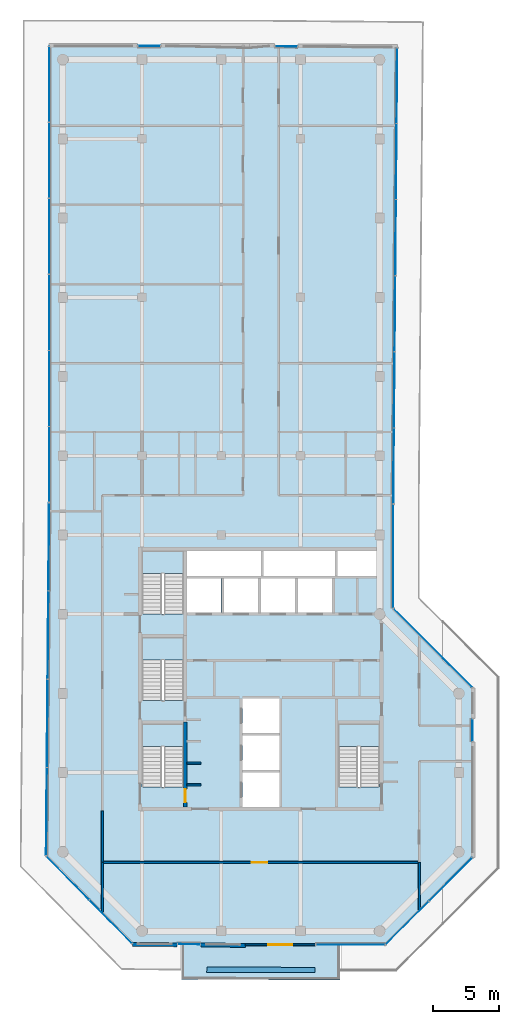
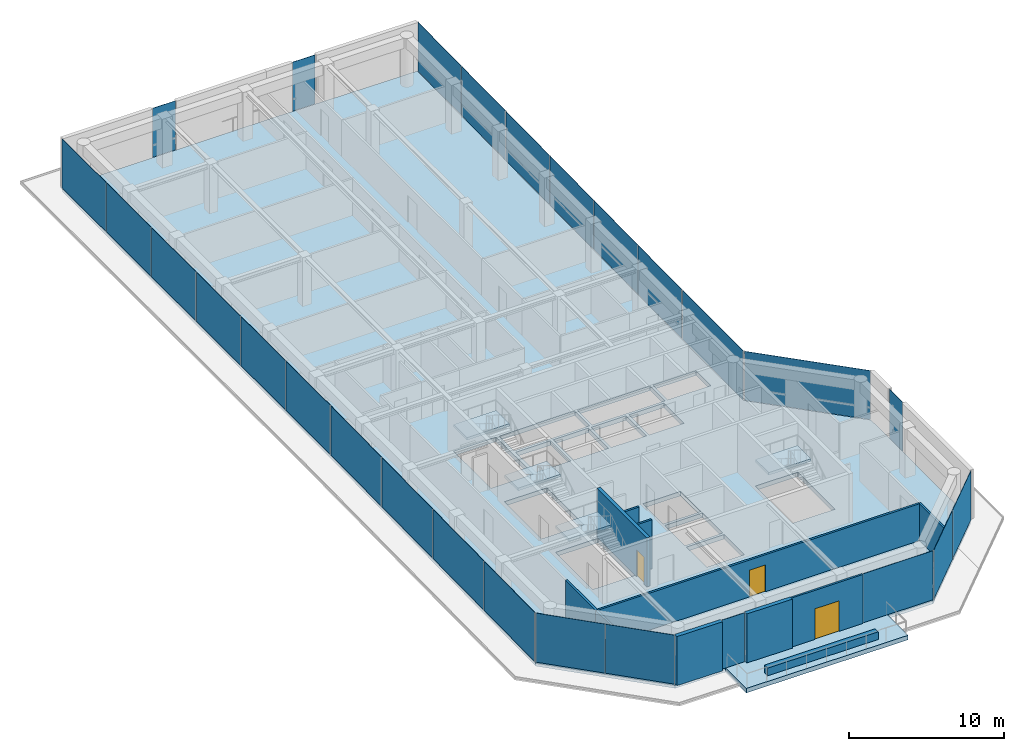
# One storey, part 13 of 18: 27 plates, 11 walls, 6 slabs, 3 doors, 3 openings, 16 elements without a shape of their own.
"""IFC4 building model written with IfcOpenShell, lengths in metres."""

from ifc_helpers import new_model, si_unit, direction, frame, frame_2d, origin, origin_2d, place, context, subcontext, project, spatial, polyline, rectangle, outline, extrude, material, layer, layer_set, type_object, element, fill, aggregate, save


model = new_model("IFC4")

# Units and contexts
model_context = context("Model", 3, precision=1e-05, world=origin(), true_north=direction((0.0, 1.0)))
body_context = subcontext(model_context, "Body", "Model", "MODEL_VIEW")
ifc_project = project(units=[si_unit("LENGTHUNIT", "METRE"), si_unit("AREAUNIT", "SQUARE_METRE"), si_unit("VOLUMEUNIT", "CUBIC_METRE"), si_unit("PLANEANGLEUNIT", "RADIAN"), si_unit("MASSUNIT", "GRAM", prefix="KILO")], contexts=[model_context])

# Site, building, storey
site_placement = place(None, origin())
site = spatial("IfcSite", under=ifc_project, at=site_placement, CompositionType="ELEMENT")
building_placement = place(site_placement, origin())
building = spatial("IfcBuilding", under=site, at=building_placement, Name="Welwitschia Terrace Campus", CompositionType="ELEMENT")
storey_placement = place(building_placement, frame((0.0, 0.0, 285.199951171875)))
storey = spatial("IfcBuildingStorey", under=building, at=storey_placement, Name="L63", CompositionType="ELEMENT", Elevation=285.199951171875)

# Curtain wall, plate
ifc_material_1 = material(Name="Bronze anodised aluminium", Category="aluminium")
ifc_layer_1 = layer(ifc_material_1, 0.1201171875)
ifc_layer_set_1 = layer_set([ifc_layer_1], Name="Bronze anodised aluminium")
curtain_wall_type = type_object("IfcCurtainWallType", Name="Curtain wall CW2 tower 6000", PredefinedType="NOTDEFINED", material=ifc_layer_set_1)
curtain_wall_1_placement = place(storey_placement, origin())
curtain_wall_1 = element("IfcCurtainWall", 1, at=curtain_wall_1_placement, inside=storey, type_object=curtain_wall_type, Name="CW L63.0.S0", PredefinedType="NOTDEFINED")
ifc_material_2 = material(Name="Tinted bronze-grey glass", Category="glass")
ifc_layer_2 = layer(ifc_material_2, 0.028076171875)
ifc_layer_set_2 = layer_set([ifc_layer_2], Name="Tinted bronze-grey glass")
plate_type = type_object("IfcPlateType", Name="Glass panel 28 tinted", PredefinedType="CURTAIN_PANEL", material=ifc_layer_set_2)
plate_1_placement = place(storey_placement, frame((6.547119140625, 63.030029296875, 0.0), z_axis=(0.0, 0.0, 1.0), x_axis=(-1.0, 0.0, 0.0)))
plate_1 = element("IfcPlate", 2, at=plate_1_placement, type_object=plate_type, Name="Panel L63.0.S0.0", PredefinedType="CURTAIN_PANEL", context=body_context, shape_type="SweptSolid", body=[
    extrude(rectangle(XDim=1.679931640625, YDim=0.028076171875, at=origin_2d()), origin(), (0.0, 0.0, 1.0), 3.85009765625),
])
aggregate(curtain_wall_1, [plate_1])

# Curtain wall, plates
curtain_wall_2_placement = place(storey_placement, origin())
curtain_wall_2 = element("IfcCurtainWall", 3, at=curtain_wall_2_placement, inside=storey, type_object=curtain_wall_type, Name="CW L63.1.0", PredefinedType="NOTDEFINED")
plate_2_placement = place(storey_placement, frame((-1.030029296875, 60.133544921875, 0.0), z_axis=(0.0, 0.0, 1.0), x_axis=(0.0, -1.0, 0.0)))
plate_2 = element("IfcPlate", 4, at=plate_2_placement, type_object=plate_type, Name="Panel L63.1.0.0", PredefinedType="CURTAIN_PANEL", context=body_context, shape_type="SweptSolid", body=[
    extrude(rectangle(XDim=5.6728515625, YDim=0.028076171875, at=origin_2d()), origin(), (0.0, 0.0, 1.0), 3.85009765625),
])
plate_3_placement = place(storey_placement, frame((-1.030029296875, 54.385986328125, 0.0), z_axis=(0.0, 0.0, 1.0), x_axis=(0.0, -1.0, 0.0)))
plate_3 = element("IfcPlate", 5, at=plate_3_placement, type_object=plate_type, Name="Panel L63.1.0.1", PredefinedType="CURTAIN_PANEL", context=body_context, shape_type="SweptSolid", body=[
    extrude(rectangle(XDim=5.70263671875, YDim=0.028076171875, at=origin_2d()), origin(), (0.0, 0.0, 1.0), 3.85009765625),
])
plate_4_placement = place(storey_placement, frame((-1.030029296875, 48.623046875, 0.0), z_axis=(0.0, 0.0, 1.0), x_axis=(0.0, -1.0, 0.0)))
plate_4 = element("IfcPlate", 6, at=plate_4_placement, type_object=plate_type, Name="Panel L63.1.0.2", PredefinedType="CURTAIN_PANEL", context=body_context, shape_type="SweptSolid", body=[
    extrude(rectangle(XDim=5.70263671875, YDim=0.028076171875, at=origin_2d()), origin(), (0.0, 0.0, 1.0), 3.85009765625),
])
plate_5_placement = place(storey_placement, frame((-1.030029296875, 42.8603515625, 0.0), z_axis=(0.0, 0.0, 1.0), x_axis=(0.0, -1.0, 0.0)))
plate_5 = element("IfcPlate", 7, at=plate_5_placement, type_object=plate_type, Name="Panel L63.1.0.3", PredefinedType="CURTAIN_PANEL", context=body_context, shape_type="SweptSolid", body=[
    extrude(rectangle(XDim=5.70263671875, YDim=0.028076171875, at=origin_2d()), origin(), (0.0, 0.0, 1.0), 3.85009765625),
])
plate_6_placement = place(storey_placement, frame((-1.030029296875, 37.09765625, 0.0), z_axis=(0.0, 0.0, 1.0), x_axis=(0.0, -1.0, 0.0)))
plate_6 = element("IfcPlate", 8, at=plate_6_placement, type_object=plate_type, Name="Panel L63.1.0.4", PredefinedType="CURTAIN_PANEL", context=body_context, shape_type="SweptSolid", body=[
    extrude(rectangle(XDim=5.70263671875, YDim=0.028076171875, at=origin_2d()), origin(), (0.0, 0.0, 1.0), 3.85009765625),
])
plate_7_placement = place(storey_placement, frame((-1.030029296875, 31.349853515625, 0.0), z_axis=(0.0, 0.0, 1.0), x_axis=(0.0, -1.0, 0.0)))
plate_7 = element("IfcPlate", 9, at=plate_7_placement, type_object=plate_type, Name="Panel L63.1.0.5", PredefinedType="CURTAIN_PANEL", context=body_context, shape_type="SweptSolid", body=[
    extrude(rectangle(XDim=5.6728515625, YDim=0.028076171875, at=origin_2d()), origin(), (0.0, 0.0, 1.0), 3.85009765625),
])
aggregate(curtain_wall_2, [plate_2, plate_3, plate_4, plate_5, plate_6, plate_7])

curtain_wall_3_placement = place(storey_placement, origin())
curtain_wall_3 = element("IfcCurtainWall", 10, at=curtain_wall_3_placement, inside=storey, type_object=curtain_wall_type, Name="CW L63.2.0", PredefinedType="NOTDEFINED")
plate_8_placement = place(storey_placement, frame((-1.059326171875, 25.094970703125, 0.0), z_axis=(0.0, 0.0, 1.0), x_axis=(-0.008726535498, -0.999961923064, 0.0)))
plate_8 = element("IfcPlate", 11, at=plate_8_placement, type_object=plate_type, Name="Panel L63.2.0.0", PredefinedType="CURTAIN_PANEL", context=body_context, shape_type="SweptSolid", body=[
    extrude(rectangle(XDim=6.597412109375, YDim=0.028076171875, at=origin_2d()), origin(), (0.0, 0.0, 1.0), 3.85009765625),
])
plate_9_placement = place(storey_placement, frame((-1.117431640625, 18.4228515625, 0.0), z_axis=(0.0, 0.0, 1.0), x_axis=(-0.008726535498, -0.999961923064, 0.0)))
plate_9 = element("IfcPlate", 12, at=plate_9_placement, type_object=plate_type, Name="Panel L63.2.0.1", PredefinedType="CURTAIN_PANEL", context=body_context, shape_type="SweptSolid", body=[
    extrude(rectangle(XDim=6.627197265625, YDim=0.028076171875, at=origin_2d()), origin(), (0.0, 0.0, 1.0), 3.85009765625),
])
plate_10_placement = place(storey_placement, frame((-1.17578125, 11.73583984375, 0.0), z_axis=(0.0, 0.0, 1.0), x_axis=(-0.008726535498, -0.999961923064, 0.0)))
plate_10 = element("IfcPlate", 13, at=plate_10_placement, type_object=plate_type, Name="Panel L63.2.0.2", PredefinedType="CURTAIN_PANEL", context=body_context, shape_type="SweptSolid", body=[
    extrude(rectangle(XDim=6.627197265625, YDim=0.028076171875, at=origin_2d()), origin(), (0.0, 0.0, 1.0), 3.85009765625),
])
plate_11_placement = place(storey_placement, frame((-1.234130859375, 5.063720703125, 0.0), z_axis=(0.0, 0.0, 1.0), x_axis=(-0.008726535498, -0.999961923064, 0.0)))
plate_11 = element("IfcPlate", 14, at=plate_11_placement, type_object=plate_type, Name="Panel L63.2.0.3", PredefinedType="CURTAIN_PANEL", context=body_context, shape_type="SweptSolid", body=[
    extrude(rectangle(XDim=6.597412109375, YDim=0.028076171875, at=origin_2d()), origin(), (0.0, 0.0, 1.0), 3.85009765625),
])
aggregate(curtain_wall_3, [plate_8, plate_9, plate_10, plate_11])

curtain_wall_4_placement = place(storey_placement, origin())
curtain_wall_4 = element("IfcCurtainWall", 15, at=curtain_wall_4_placement, inside=storey, type_object=curtain_wall_type, Name="CW L63.3.0", PredefinedType="NOTDEFINED")
plate_12_placement = place(storey_placement, frame((0.383544921875, 0.029541015625, 0.0), z_axis=(0.0, 0.0, 1.0), x_axis=(0.7009092643, -0.713250449154, 0.0)))
plate_12 = element("IfcPlate", 16, at=plate_12_placement, type_object=plate_type, Name="Panel L63.3.0.0", PredefinedType="CURTAIN_PANEL", context=body_context, shape_type="SweptSolid", body=[
    extrude(rectangle(XDim=4.579345703125, YDim=0.028076171875, at=origin_2d()), origin(), (0.0, 0.0, 1.0), 3.85009765625),
])
plate_13_placement = place(storey_placement, frame((3.63525390625, -3.279541015625, 0.0), z_axis=(0.0, 0.0, 1.0), x_axis=(0.7009092643, -0.713250449154, 0.0)))
plate_13 = element("IfcPlate", 17, at=plate_13_placement, type_object=plate_type, Name="Panel L63.3.0.1", PredefinedType="CURTAIN_PANEL", context=body_context, shape_type="SweptSolid", body=[
    extrude(rectangle(XDim=4.579345703125, YDim=0.028076171875, at=origin_2d()), origin(), (0.0, 0.0, 1.0), 3.85009765625),
])
aggregate(curtain_wall_4, [plate_12, plate_13])

# Curtain wall, plate
curtain_wall_5_placement = place(storey_placement, origin())
curtain_wall_5 = element("IfcCurtainWall", 18, at=curtain_wall_5_placement, inside=storey, type_object=curtain_wall_type, Name="CW L63.4.S0", PredefinedType="NOTDEFINED")
plate_14_placement = place(storey_placement, frame((9.5546875, -4.99267578125, 0.0), z_axis=(0.0, 0.0, 1.0), x_axis=(0.999961923064, -0.008726535498, 0.0)))
plate_14 = element("IfcPlate", 19, at=plate_14_placement, type_object=plate_type, Name="Panel L63.4.S0.0", PredefinedType="CURTAIN_PANEL", context=body_context, shape_type="SweptSolid", body=[
    extrude(rectangle(XDim=1.679931640625, YDim=0.028076171875, at=origin_2d()), origin(), (0.0, 0.0, 1.0), 3.85009765625),
])
aggregate(curtain_wall_5, [plate_14])

curtain_wall_6_placement = place(storey_placement, origin())
curtain_wall_6 = element("IfcCurtainWall", 20, at=curtain_wall_6_placement, inside=storey, type_object=curtain_wall_type, Name="CW L63.5.1", PredefinedType="NOTDEFINED")
plate_15_placement = place(storey_placement, frame((21.77685546875, -5.030029296875, 0.0), z_axis=(0.0, 0.0, 1.0), x_axis=(1.0, 0.0, 0.0)))
plate_15 = element("IfcPlate", 21, at=plate_15_placement, type_object=plate_type, Name="Panel L63.5.1.0", PredefinedType="CURTAIN_PANEL", context=body_context, shape_type="SweptSolid", body=[
    extrude(rectangle(XDim=5.1796875, YDim=0.028076171875, at=origin_2d()), origin(), (0.0, 0.0, 1.0), 3.85009765625),
])
aggregate(curtain_wall_6, [plate_15])

# Curtain wall, plates
curtain_wall_7_placement = place(storey_placement, origin())
curtain_wall_7 = element("IfcCurtainWall", 22, at=curtain_wall_7_placement, inside=storey, type_object=curtain_wall_type, Name="CW L63.6.0", PredefinedType="NOTDEFINED")
plate_16_placement = place(storey_placement, frame((26.088134765625, -3.36865234375, 0.0), z_axis=(0.0, 0.0, 1.0), x_axis=(0.707106781187, 0.707106781187, 0.0)))
plate_16 = element("IfcPlate", 23, at=plate_16_placement, type_object=plate_type, Name="Panel L63.6.0.0", PredefinedType="CURTAIN_PANEL", context=body_context, shape_type="SweptSolid", body=[
    extrude(rectangle(XDim=4.579345703125, YDim=0.028076171875, at=origin_2d()), origin(), (0.0, 0.0, 1.0), 3.85009765625),
])
plate_17_placement = place(storey_placement, frame((29.36865234375, -0.088134765625, 0.0), z_axis=(0.0, 0.0, 1.0), x_axis=(0.707106781187, 0.707106781187, 0.0)))
plate_17 = element("IfcPlate", 24, at=plate_17_placement, type_object=plate_type, Name="Panel L63.6.0.1", PredefinedType="CURTAIN_PANEL", context=body_context, shape_type="SweptSolid", body=[
    extrude(rectangle(XDim=4.579345703125, YDim=0.028076171875, at=origin_2d()), origin(), (0.0, 0.0, 1.0), 3.85009765625),
])
aggregate(curtain_wall_7, [plate_16, plate_17])

# Curtain wall, plate
curtain_wall_8_placement = place(storey_placement, origin())
curtain_wall_8 = element("IfcCurtainWall", 25, at=curtain_wall_8_placement, inside=storey, type_object=curtain_wall_type, Name="CW L63.7.S0", PredefinedType="NOTDEFINED")
plate_18_placement = place(storey_placement, frame((31.030029296875, 11.21337890625, 0.0), z_axis=(0.0, 0.0, 1.0), x_axis=(0.0, 1.0, 0.0)))
plate_18 = element("IfcPlate", 26, at=plate_18_placement, type_object=plate_type, Name="Panel L63.7.S0.0", PredefinedType="CURTAIN_PANEL", context=body_context, shape_type="SweptSolid", body=[
    extrude(rectangle(XDim=1.679931640625, YDim=0.028076171875, at=origin_2d()), origin(), (0.0, 0.0, 1.0), 3.85009765625),
])
aggregate(curtain_wall_8, [plate_18])

curtain_wall_9_placement = place(storey_placement, origin())
curtain_wall_9 = element("IfcCurtainWall", 27, at=curtain_wall_9_placement, inside=storey, type_object=curtain_wall_type, Name="CW L63.8.0", PredefinedType="NOTDEFINED")
plate_19_placement = place(storey_placement, frame((28.030029296875, 17.4267578125, 0.0), z_axis=(0.0, 0.0, 1.0), x_axis=(-0.707106781187, 0.707106781187, 0.0)))
plate_19 = element("IfcPlate", 28, at=plate_19_placement, type_object=plate_type, Name="Panel L63.8.0.0", PredefinedType="CURTAIN_PANEL", context=body_context, shape_type="SweptSolid", body=[
    extrude(rectangle(XDim=8.365234375, YDim=0.028076171875, at=origin_2d()), origin(), (0.0, 0.0, 1.0), 3.85009765625),
])
aggregate(curtain_wall_9, [plate_19])

curtain_wall_10_placement = place(storey_placement, origin())
curtain_wall_10 = element("IfcCurtainWall", 29, at=curtain_wall_10_placement, inside=storey, type_object=curtain_wall_type, Name="CW L63.9.0", PredefinedType="NOTDEFINED")
plate_20_placement = place(storey_placement, frame((25.030029296875, 24.38330078125, 0.0), z_axis=(0.0, 0.0, 1.0), x_axis=(0.0, 1.0, 0.0)))
plate_20 = element("IfcPlate", 30, at=plate_20_placement, type_object=plate_type, Name="Panel L63.9.0.0", PredefinedType="CURTAIN_PANEL", context=body_context, shape_type="SweptSolid", body=[
    extrude(rectangle(XDim=7.793212890625, YDim=0.028076171875, at=origin_2d()), origin(), (0.0, 0.0, 1.0), 3.85009765625),
])
aggregate(curtain_wall_10, [plate_20])

# Curtain wall, plates
curtain_wall_11_placement = place(storey_placement, origin())
curtain_wall_11 = element("IfcCurtainWall", 31, at=curtain_wall_11_placement, inside=storey, type_object=curtain_wall_type, Name="CW L63.10.0", PredefinedType="NOTDEFINED")
plate_21_placement = place(storey_placement, frame((25.05517578125, 31.237548828125, 0.0), z_axis=(0.0, 0.0, 1.0), x_axis=(0.008726535498, 0.999961923064, 0.0)))
plate_21 = element("IfcPlate", 32, at=plate_21_placement, type_object=plate_type, Name="Panel L63.10.0.0", PredefinedType="CURTAIN_PANEL", context=body_context, shape_type="SweptSolid", body=[
    extrude(rectangle(XDim=5.675537109375, YDim=0.028076171875, at=origin_2d()), origin(), (0.0, 0.0, 1.0), 3.85009765625),
])
plate_22_placement = place(storey_placement, frame((25.10546875, 36.988037109375, 0.0), z_axis=(0.0, 0.0, 1.0), x_axis=(0.008726535498, 0.999961923064, 0.0)))
plate_22 = element("IfcPlate", 33, at=plate_22_placement, type_object=plate_type, Name="Panel L63.10.0.1", PredefinedType="CURTAIN_PANEL", context=body_context, shape_type="SweptSolid", body=[
    extrude(rectangle(XDim=5.70556640625, YDim=0.028076171875, at=origin_2d()), origin(), (0.0, 0.0, 1.0), 3.85009765625),
])
plate_23_placement = place(storey_placement, frame((25.15576171875, 42.75341796875, 0.0), z_axis=(0.0, 0.0, 1.0), x_axis=(0.008726535498, 0.999961923064, 0.0)))
plate_23 = element("IfcPlate", 34, at=plate_23_placement, type_object=plate_type, Name="Panel L63.10.0.2", PredefinedType="CURTAIN_PANEL", context=body_context, shape_type="SweptSolid", body=[
    extrude(rectangle(XDim=5.70556640625, YDim=0.028076171875, at=origin_2d()), origin(), (0.0, 0.0, 1.0), 3.85009765625),
])
plate_24_placement = place(storey_placement, frame((25.2060546875, 48.518798828125, 0.0), z_axis=(0.0, 0.0, 1.0), x_axis=(0.008726535498, 0.999961923064, 0.0)))
plate_24 = element("IfcPlate", 35, at=plate_24_placement, type_object=plate_type, Name="Panel L63.10.0.3", PredefinedType="CURTAIN_PANEL", context=body_context, shape_type="SweptSolid", body=[
    extrude(rectangle(XDim=5.70556640625, YDim=0.028076171875, at=origin_2d()), origin(), (0.0, 0.0, 1.0), 3.85009765625),
])
plate_25_placement = place(storey_placement, frame((25.25634765625, 54.2841796875, 0.0), z_axis=(0.0, 0.0, 1.0), x_axis=(0.008726535498, 0.999961923064, 0.0)))
plate_25 = element("IfcPlate", 36, at=plate_25_placement, type_object=plate_type, Name="Panel L63.10.0.4", PredefinedType="CURTAIN_PANEL", context=body_context, shape_type="SweptSolid", body=[
    extrude(rectangle(XDim=5.70556640625, YDim=0.028076171875, at=origin_2d()), origin(), (0.0, 0.0, 1.0), 3.85009765625),
])
plate_26_placement = place(storey_placement, frame((25.306640625, 60.034423828125, 0.0), z_axis=(0.0, 0.0, 1.0), x_axis=(0.008726535498, 0.999961923064, 0.0)))
plate_26 = element("IfcPlate", 37, at=plate_26_placement, type_object=plate_type, Name="Panel L63.10.0.5", PredefinedType="CURTAIN_PANEL", context=body_context, shape_type="SweptSolid", body=[
    extrude(rectangle(XDim=5.675537109375, YDim=0.028076171875, at=origin_2d()), origin(), (0.0, 0.0, 1.0), 3.85009765625),
])
aggregate(curtain_wall_11, [plate_21, plate_22, plate_23, plate_24, plate_25, plate_26])

# Curtain wall, plate
curtain_wall_12_placement = place(storey_placement, origin())
curtain_wall_12 = element("IfcCurtainWall", 38, at=curtain_wall_12_placement, inside=storey, type_object=curtain_wall_type, Name="CW L63.11.S0", PredefinedType="NOTDEFINED")
plate_27_placement = place(storey_placement, frame((16.926025390625, 63.005615234375, 0.0), z_axis=(0.0, 0.0, 1.0), x_axis=(-0.999961923064, 0.008726535498, 0.0)))
plate_27 = element("IfcPlate", 39, at=plate_27_placement, type_object=plate_type, Name="Panel L63.11.S0.0", PredefinedType="CURTAIN_PANEL", context=body_context, shape_type="SweptSolid", body=[
    extrude(rectangle(XDim=1.679931640625, YDim=0.028076171875, at=origin_2d()), origin(), (0.0, 0.0, 1.0), 3.85009765625),
])
aggregate(curtain_wall_12, [plate_27])

# Stair, slab
ifc_material_3 = material(Name="Concrete C40/50", Category="concrete")
stair_type = type_object("IfcStairType", Name="Stair 24R 175 W1500", PredefinedType="HALF_TURN_STAIR", material=ifc_material_3)
stair_1_placement = place(storey_placement, origin())
stair_1 = element("IfcStair", 40, at=stair_1_placement, inside=storey, type_object=stair_type, Name="L63 Exit stair S1", PredefinedType="HALF_TURN_STAIR")
ifc_material_4 = material(Name="Concrete C40/50", Category="concrete")
ifc_layer_3 = layer(ifc_material_4, 0.199951171875)
ifc_layer_set_3 = layer_set([ifc_layer_3], Name="Concrete C40/50")
slab_type_1 = type_object("IfcSlabType", Name="Stair landing RC", PredefinedType="LANDING", material=ifc_layer_set_3)
slab_1_placement = place(storey_placement, frame((0.0, 0.0, 1.900146484375)))
slab_1 = element("IfcSlab", 41, at=slab_1_placement, type_object=slab_type_1, Name="S1 landing 1", PredefinedType="LANDING", context=body_context, shape_type="SweptSolid", body=[
    extrude(outline(polyline([(9.14990234375, 9.97998046875), (9.14990234375, 11.699951171875), (6.0, 11.699951171875), (6.0, 9.97998046875), (9.14990234375, 9.97998046875)])), origin(), (0.0, 0.0, 1.0), 0.199951171875),
])
aggregate(stair_1, [slab_1])

stair_2_placement = place(storey_placement, origin())
stair_2 = element("IfcStair", 42, at=stair_2_placement, inside=storey, type_object=stair_type, Name="L63 Exit stair S3", PredefinedType="HALF_TURN_STAIR")
slab_2_placement = place(storey_placement, frame((0.0, 0.0, 1.900146484375)))
slab_2 = element("IfcSlab", 43, at=slab_2_placement, type_object=slab_type_1, Name="S3 landing 1", PredefinedType="LANDING", context=body_context, shape_type="SweptSolid", body=[
    extrude(outline(polyline([(9.14990234375, 16.530029296875), (9.14990234375, 18.25), (6.0, 18.25), (6.0, 16.530029296875), (9.14990234375, 16.530029296875)])), origin(), (0.0, 0.0, 1.0), 0.199951171875),
])
aggregate(stair_2, [slab_2])

stair_3_placement = place(storey_placement, origin())
stair_3 = element("IfcStair", 44, at=stair_3_placement, inside=storey, type_object=stair_type, Name="L63 Exit stair S4", PredefinedType="HALF_TURN_STAIR")
slab_3_placement = place(storey_placement, frame((0.0, 0.0, 1.900146484375)))
slab_3 = element("IfcSlab", 45, at=slab_3_placement, type_object=slab_type_1, Name="S4 landing 1", PredefinedType="LANDING", context=body_context, shape_type="SweptSolid", body=[
    extrude(outline(polyline([(9.14990234375, 23.080078125), (9.14990234375, 24.800048828125), (6.0, 24.800048828125), (6.0, 23.080078125), (9.14990234375, 23.080078125)])), origin(), (0.0, 0.0, 1.0), 0.199951171875),
])
aggregate(stair_3, [slab_3])

stair_4_placement = place(storey_placement, origin())
stair_4 = element("IfcStair", 46, at=stair_4_placement, inside=storey, type_object=stair_type, Name="L63 Exit stair S2", PredefinedType="HALF_TURN_STAIR")
slab_4_placement = place(storey_placement, frame((0.0, 0.0, 1.900146484375)))
slab_4 = element("IfcSlab", 47, at=slab_4_placement, type_object=slab_type_1, Name="S2 landing 1", PredefinedType="LANDING", context=body_context, shape_type="SweptSolid", body=[
    extrude(outline(polyline([(24.0, 9.97998046875), (24.0, 11.699951171875), (20.85009765625, 11.699951171875), (20.85009765625, 9.97998046875), (24.0, 9.97998046875)])), origin(), (0.0, 0.0, 1.0), 0.199951171875),
])
aggregate(stair_4, [slab_4])

# Slabs
ifc_material_5 = material(Name="Concrete C40/50", Category="concrete")
ifc_layer_4 = layer(ifc_material_5, 0.35009765625)
ifc_layer_set_4 = layer_set([ifc_layer_4], Name="Concrete C40/50")
slab_type_2 = type_object("IfcSlabType", Name="Suspended floor slab 350", PredefinedType="FLOOR", material=ifc_layer_set_4)
slab_5_placement = place(storey_placement, frame((0.0, 0.0, -0.349853515625)))
element("IfcSlab", 48, at=slab_5_placement, inside=storey, type_object=slab_type_2, Name="Floor slab L63", PredefinedType="FLOOR", context=body_context, shape_type="SweptSolid", body=[
    extrude(outline(polyline([(25.0, 28.340087890625), (25.0, 20.414306640625), (31.0, 14.414306640625), (31.0, 1.585693359375), (24.414306640625, -5.0), (21.001953125, -5.0), (21.001953125, -4.985107421875), (20.43017578125, -4.985107421875), (20.43017578125, -5.0), (13.827392578125, -5.0), (9.38330078125, -4.961181640625), (9.383544921875, -4.9462890625), (8.998046875, -4.94287109375), (8.998046875, -4.957763671875), (5.294677734375, -4.925537109375), (-1.2333984375, 1.717529296875), (-1.0, 28.453369140625), (-1.0, 63.0), (14.1240234375, 63.0), (25.301513671875, 62.90234375), (25.0, 28.340087890625)]), holes=[polyline([(13.60009765625, 5.39990234375), (16.39990234375, 5.39990234375), (16.39990234375, 8.0), (13.60009765625, 8.0), (13.60009765625, 5.39990234375)]), polyline([(6.0, 11.699951171875), (6.0, 6.902099609375), (9.14990234375, 6.902099609375), (9.14990234375, 11.699951171875), (6.0, 11.699951171875)]), polyline([(6.0, 18.25), (6.0, 13.451904296875), (9.14990234375, 13.451904296875), (9.14990234375, 18.25), (6.0, 18.25)]), polyline([(9.39990234375, 22.699951171875), (9.39990234375, 20.10009765625), (12.0, 20.10009765625), (12.0, 22.699951171875), (9.39990234375, 22.699951171875)]), polyline([(12.199951171875, 22.699951171875), (12.199951171875, 20.10009765625), (14.800048828125, 20.10009765625), (14.800048828125, 22.699951171875), (12.199951171875, 22.699951171875)]), polyline([(6.0, 24.800048828125), (6.0, 20.001953125), (9.14990234375, 20.001953125), (9.14990234375, 24.800048828125), (6.0, 24.800048828125)]), polyline([(9.39990234375, 24.800048828125), (9.39990234375, 22.89990234375), (15.0, 22.89990234375), (15.0, 24.800048828125), (9.39990234375, 24.800048828125)]), polyline([(20.85009765625, 6.902099609375), (24.0, 6.902099609375), (24.0, 11.699951171875), (20.85009765625, 11.699951171875), (20.85009765625, 6.902099609375)]), polyline([(13.60009765625, 10.800048828125), (13.60009765625, 8.199951171875), (16.39990234375, 8.199951171875), (16.39990234375, 10.800048828125), (13.60009765625, 10.800048828125)]), polyline([(13.60009765625, 13.60009765625), (13.60009765625, 11.0), (16.39990234375, 11.0), (16.39990234375, 13.60009765625), (13.60009765625, 13.60009765625)]), polyline([(15.0, 22.699951171875), (15.0, 20.10009765625), (17.60009765625, 20.10009765625), (17.60009765625, 22.699951171875), (15.0, 22.699951171875)]), polyline([(17.800048828125, 22.699951171875), (17.800048828125, 20.10009765625), (20.39990234375, 20.10009765625), (20.39990234375, 22.699951171875), (17.800048828125, 22.699951171875)]), polyline([(15.199951171875, 24.800048828125), (15.199951171875, 22.89990234375), (20.60009765625, 22.89990234375), (20.60009765625, 24.800048828125), (15.199951171875, 24.800048828125)]), polyline([(20.800048828125, 24.800048828125), (20.800048828125, 22.89990234375), (24.0, 22.89990234375), (24.0, 24.800048828125), (20.800048828125, 24.800048828125)])]), origin(), (0.0, 0.0, 1.0), 0.349853515625),
])
ifc_material_6 = material(Name="Concrete C40/50", Category="concrete")
ifc_layer_5 = layer(ifc_material_6, 0.35009765625)
ifc_layer_set_5 = layer_set([ifc_layer_5], Name="Concrete C40/50")
slab_type_3 = type_object("IfcSlabType", Name="Terrace slab 350", PredefinedType="FLOOR", material=ifc_layer_set_5)
slab_6_placement = place(storey_placement, frame((0.0, 0.0, -0.349853515625)))
element("IfcSlab", 49, at=slab_6_placement, inside=storey, type_object=slab_type_3, Name="Terrace slab", PredefinedType="FLOOR", context=body_context, shape_type="SweptSolid", body=[
    extrude(outline(polyline([(9.0, -7.657958984375), (9.0, -4.972900390625), (9.38330078125, -4.976318359375), (9.38330078125, -4.961181640625), (13.827392578125, -5.0), (20.43017578125, -5.0), (20.43017578125, -5.014892578125), (21.0, -5.014892578125), (21.0, -7.699951171875), (9.0, -7.657958984375)])), origin(), (0.0, 0.0, 1.0), 0.349853515625),
])

# Wall, opening, door
ifc_material_7 = material(Name="Concrete C40/50", Category="concrete")
ifc_layer_6 = layer(ifc_material_7, 0.139892578125)
ifc_layer_set_6 = layer_set([ifc_layer_6], Name="Concrete C40/50")
wall_type_1 = type_object("IfcWallType", Name="Clad wall 140", PredefinedType="SOLIDWALL", material=ifc_layer_set_6)
wall_1_placement = place(storey_placement, frame((13.8271484375, -5.030029296875, 0.0), z_axis=(0.0, 0.0, 1.0), x_axis=(1.0, 0.0, 0.0)))
wall_1 = element("IfcWall", 50, at=wall_1_placement, inside=storey, type_object=wall_type_1, Name="Clad wall L63.terrace door 0", PredefinedType="SOLIDWALL", context=body_context, shape_type="SweptSolid", body=[
    extrude(rectangle(XDim=5.2998046875, YDim=0.139892578125, at=frame_2d((2.64990234375, 0.0))), origin(), (0.0, 0.0, 1.0), 3.85009765625),
])
opening_1_placement = place(wall_1_placement, frame((1.75, 0.0, 0.0)))
opening_1 = element("IfcOpeningElement", 51, at=opening_1_placement, cuts=wall_1, Name="Opening DE3", PredefinedType="OPENING", context=body_context, shape_type="SweptSolid", body=[
    extrude(rectangle(XDim=1.800048828125, YDim=2.39990234375, at=frame_2d((0.89990234375, 1.199951171875))), frame((0.0, 0.079833984375, 0.0), z_axis=(0.0, -1.0, 0.0), x_axis=(1.0, 0.0, 0.0)), (0.0, 0.0, 1.0), 0.159912109375),
])
ifc_material_8 = material(Name="Bronze anodised aluminium and glass", Category="aluminium")
door_type_1 = type_object("IfcDoorType", Name="Terrace door 1800x2400", OperationType="DOUBLE_DOOR_DOUBLE_SWING", PredefinedType="DOOR", material=ifc_material_8)
door_1_placement = place(opening_1_placement, origin())
door_1 = element("IfcDoor", 52, at=door_1_placement, inside=storey, type_object=door_type_1, Name="Door L63:T0", OperationType="DOUBLE_DOOR_DOUBLE_SWING", OverallHeight=2.39990234375, OverallWidth=1.800048828125, PredefinedType="DOOR", context=body_context, shape_type="SweptSolid", body=[
    extrude(rectangle(XDim=1.800048828125, YDim=2.39990234375, at=frame_2d((0.89990234375, 1.199951171875))), frame((0.0, 0.02490234375, 0.0), z_axis=(0.0, -1.0, 0.0), x_axis=(1.0, 0.0, 0.0)), (0.0, 0.0, 1.0), 0.050048828125),
])
fill(opening_1, door_1)

# Walls
ifc_material_9 = material(Name="Concrete C50/60", Category="concrete")
ifc_layer_7 = layer(ifc_material_9, 0.14990234375)
ifc_layer_set_7 = layer_set([ifc_layer_7], Name="Concrete C50/60")
wall_type_2 = type_object("IfcWallType", Name="Core wall 150 Concrete C50/60", PredefinedType="SHEAR", material=ifc_layer_set_7)
for number, where, z_axis, x_axis, name in (
    (53, (9.39990234375, 7.074951171875, 0.0), (0.0, 0.0, 1.0), (1.0, 0.0, 0.0), "Core wall"),
    (54, (9.39990234375, 8.72509765625, 0.0), (0.0, 0.0, 1.0), (1.0, 0.0, 0.0), "Core wall"),
):
    element("IfcWall", number, at=place(storey_placement, frame(where, z_axis=z_axis, x_axis=x_axis)), inside=storey, type_object=wall_type_2, Name=name, PredefinedType="SHEAR", context=body_context, shape_type="SweptSolid", body=[
        extrude(rectangle(XDim=1.050048828125, YDim=0.14990234375, at=frame_2d((0.52490234375, 0.0))), origin(), (0.0, 0.0, 1.0), 3.85009765625),
    ])

# Wall, opening, door
ifc_material_10 = material(Name="Concrete C50/60", Category="concrete")
ifc_layer_8 = layer(ifc_material_10, 0.25)
ifc_layer_set_8 = layer_set([ifc_layer_8], Name="Concrete C50/60")
wall_type_3 = type_object("IfcWallType", Name="Core wall 250 Concrete C50/60", PredefinedType="SHEAR", material=ifc_layer_set_8)
wall_2_placement = place(storey_placement, frame((9.27490234375, 11.824951171875, 0.0), z_axis=(0.0, 0.0, 1.0), x_axis=(0.0, -1.0, 0.0)))
wall_2 = element("IfcWall", 55, at=wall_2_placement, inside=storey, type_object=wall_type_3, Name="Core wall", PredefinedType="SHEAR", context=body_context, shape_type="SweptSolid", body=[
    extrude(rectangle(XDim=6.425048828125, YDim=0.25, at=frame_2d((3.21240234375, 0.0))), origin(), (0.0, 0.0, 1.0), 3.85009765625),
])
opening_2_placement = place(wall_2_placement, frame((5.074951171875, 0.0, 0.0)))
opening_2 = element("IfcOpeningElement", 56, at=opening_2_placement, cuts=wall_2, Name="Opening DS10", PredefinedType="OPENING", context=body_context, shape_type="SweptSolid", body=[
    extrude(rectangle(XDim=1.0, YDim=2.10009765625, at=frame_2d((0.5, 1.050048828125))), frame((0.0, 0.135009765625, 0.0), z_axis=(0.0, -1.0, 0.0), x_axis=(1.0, 0.0, 0.0)), (0.0, 0.0, 1.0), 0.27001953125),
])
ifc_material_11 = material(Name="Steel S275", Category="steel")
door_type_2 = type_object("IfcDoorType", Name="Core door DS10", OperationType="SINGLE_SWING_LEFT", PredefinedType="DOOR", material=ifc_material_11)
door_2_placement = place(opening_2_placement, origin())
door_2 = element("IfcDoor", 57, at=door_2_placement, inside=storey, type_object=door_type_2, Name="Door S1-FL", OperationType="SINGLE_SWING_RIGHT", OverallHeight=2.10009765625, OverallWidth=1.0, PredefinedType="DOOR", context=body_context, shape_type="SweptSolid", body=[
    extrude(rectangle(XDim=1.0, YDim=2.10009765625, at=frame_2d((0.5, 1.050048828125))), frame((0.0, 0.02490234375, 0.0), z_axis=(0.0, -1.0, 0.0), x_axis=(1.0, 0.0, 0.0)), (0.0, 0.0, 1.0), 0.050048828125),
])
fill(opening_2, door_2)

# Walls
ifc_material_12 = material(Name="Gypsum board on steel studs", Category="steel")
ifc_layer_9 = layer(ifc_material_12, 0.14990234375)
ifc_layer_set_9 = layer_set([ifc_layer_9], Name="Gypsum board on steel studs")
wall_type_4 = type_object("IfcWallType", Name="Corridor partition 150 EI 30", PredefinedType="PARTITIONING", material=ifc_layer_set_9)
wall_3_placement = place(storey_placement, frame((3.0, -2.56005859375, 0.0), z_axis=(0.0, 0.0, 1.0), x_axis=(0.0, 1.0, 0.0)))
element("IfcWall", 58, at=wall_3_placement, inside=storey, type_object=wall_type_4, Name="Partition", PredefinedType="PARTITIONING", context=body_context, shape_type="SweptSolid", body=[
    extrude(rectangle(XDim=3.760009765625, YDim=0.14990234375, at=frame_2d((1.8798828125, 0.0))), origin(), (0.0, 0.0, 1.0), 2.900146484375),
])
wall_4_placement = place(storey_placement, frame((3.0, 1.199951171875, 0.0), z_axis=(0.0, 0.0, 1.0), x_axis=(0.0, 1.0, 0.0)))
element("IfcWall", 59, at=wall_4_placement, inside=storey, type_object=wall_type_4, Name="Partition", PredefinedType="PARTITIONING", context=body_context, shape_type="SweptSolid", body=[
    extrude(rectangle(XDim=3.900146484375, YDim=0.14990234375, at=frame_2d((1.9501953125, 0.0))), origin(), (0.0, 0.0, 1.0), 2.900146484375),
])
wall_5_placement = place(storey_placement, frame((27.0, -2.389892578125, 0.0), z_axis=(0.0, 0.0, 1.0), x_axis=(0.0, 1.0, 0.0)))
element("IfcWall", 60, at=wall_5_placement, inside=storey, type_object=wall_type_4, Name="Partition", PredefinedType="PARTITIONING", context=body_context, shape_type="SweptSolid", body=[
    extrude(rectangle(XDim=3.58984375, YDim=0.14990234375, at=frame_2d((1.794921875, 0.0))), origin(), (0.0, 0.0, 1.0), 2.900146484375),
])

# Wall, opening, door
wall_6_placement = place(storey_placement, frame((27.0, 1.199951171875, 0.0), z_axis=(0.0, 0.0, 1.0), x_axis=(-1.0, 0.0, 0.0)))
wall_6 = element("IfcWall", 61, at=wall_6_placement, inside=storey, type_object=wall_type_4, Name="Partition", PredefinedType="PARTITIONING", context=body_context, shape_type="SweptSolid", body=[
    extrude(rectangle(XDim=24.0, YDim=0.14990234375, at=frame_2d((12.0, 0.0))), origin(), (0.0, 0.0, 1.0), 2.900146484375),
])
opening_3_placement = place(wall_6_placement, frame((11.5, 0.0, 0.0)))
opening_3 = element("IfcOpeningElement", 62, at=opening_3_placement, cuts=wall_6, Name="Opening DI12", PredefinedType="OPENING", context=body_context, shape_type="SweptSolid", body=[
    extrude(rectangle(XDim=1.199951171875, YDim=2.10009765625, at=frame_2d((0.60009765625, 1.050048828125))), frame((0.0, 0.0849609375, 0.0), z_axis=(0.0, -1.0, 0.0), x_axis=(1.0, 0.0, 0.0)), (0.0, 0.0, 1.0), 0.169921875),
])
ifc_material_13 = material(Name="Timber veneered door", Category="wood")
door_type_3 = type_object("IfcDoorType", Name="Interior door DI12", OperationType="NOTDEFINED", PredefinedType="DOOR", material=ifc_material_13)
door_3_placement = place(opening_3_placement, origin())
door_3 = element("IfcDoor", 63, at=door_3_placement, inside=storey, type_object=door_type_3, Name="Door L63 1133", OperationType="SINGLE_SWING_RIGHT", OverallHeight=2.10009765625, OverallWidth=1.199951171875, PredefinedType="DOOR", context=body_context, shape_type="SweptSolid", body=[
    extrude(rectangle(XDim=1.199951171875, YDim=2.10009765625, at=frame_2d((0.60009765625, 1.050048828125))), frame((0.0, 0.02490234375, 0.0), z_axis=(0.0, -1.0, 0.0), x_axis=(1.0, 0.0, 0.0)), (0.0, 0.0, 1.0), 0.050048828125),
])
fill(opening_3, door_3)

# Walls
ifc_material_14 = material(Name="Concrete C40/50", Category="concrete")
ifc_layer_10 = layer(ifc_material_14, 0.300048828125)
ifc_layer_set_10 = layer_set([ifc_layer_10], Name="Concrete C40/50")
wall_type_5 = type_object("IfcWallType", Name="Mass wall 300", PredefinedType="SOLIDWALL", material=ifc_layer_set_10)
wall_7_placement = place(storey_placement, frame((5.281494140625, -5.005126953125, 0.0), z_axis=(0.0, 0.0, 1.0), x_axis=(0.999962277007, -0.008685882971, 0.0)))
element("IfcWall", 64, at=wall_7_placement, inside=storey, type_object=wall_type_5, Name="Mass wall L63.4.0", PredefinedType="SOLIDWALL", context=body_context, shape_type="SweptSolid", body=[
    extrude(rectangle(XDim=3.373046875, YDim=0.300048828125, at=frame_2d((1.6865234375, 0.0))), origin(), (0.0, 0.0, 1.0), 3.85009765625),
])
wall_8_placement = place(storey_placement, frame((10.4541015625, -5.050537109375, 0.0), z_axis=(0.0, 0.0, 1.0), x_axis=(0.999961640154, -0.008758893764, 0.0)))
element("IfcWall", 65, at=wall_8_placement, inside=storey, type_object=wall_type_5, Name="Mass wall L63.4.1", PredefinedType="SOLIDWALL", context=body_context, shape_type="SweptSolid", body=[
    extrude(rectangle(XDim=3.372802734375, YDim=0.300048828125, at=frame_2d((1.6865234375, 0.0))), origin(), (0.0, 0.0, 1.0), 3.85009765625),
])
ifc_material_15 = material(Name="Concrete C40/50", Category="concrete")
ifc_layer_11 = layer(ifc_material_15, 0.39990234375)
ifc_layer_set_11 = layer_set([ifc_layer_11], Name="Concrete C40/50")
wall_type_6 = type_object("IfcWallType", Name="Planter wall 400", PredefinedType="SOLIDWALL", material=ifc_layer_set_11)
wall_9_placement = place(storey_placement, frame((19.102294921875, -6.943359375, 0.0), z_axis=(0.0, 0.0, 1.0), x_axis=(-0.999993828545, 0.003513242379, 0.0)))
element("IfcWall", 66, at=wall_9_placement, inside=storey, type_object=wall_type_6, Name="PLANTER", PredefinedType="SOLIDWALL", context=body_context, shape_type="SweptSolid", body=[
    extrude(rectangle(XDim=8.199951171875, YDim=0.39990234375, at=frame_2d((4.10009765625, 0.0))), origin(), (0.0, 0.0, 1.0), 0.60009765625),
])

save(model, "model.ifc")
